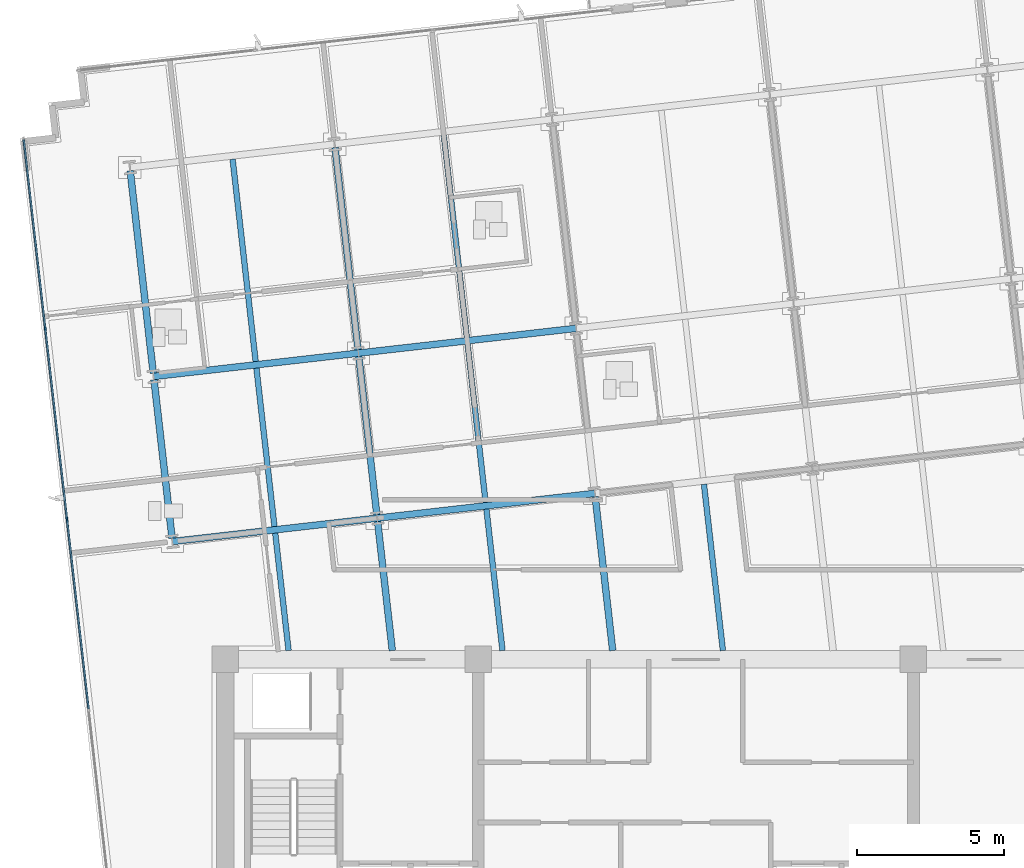
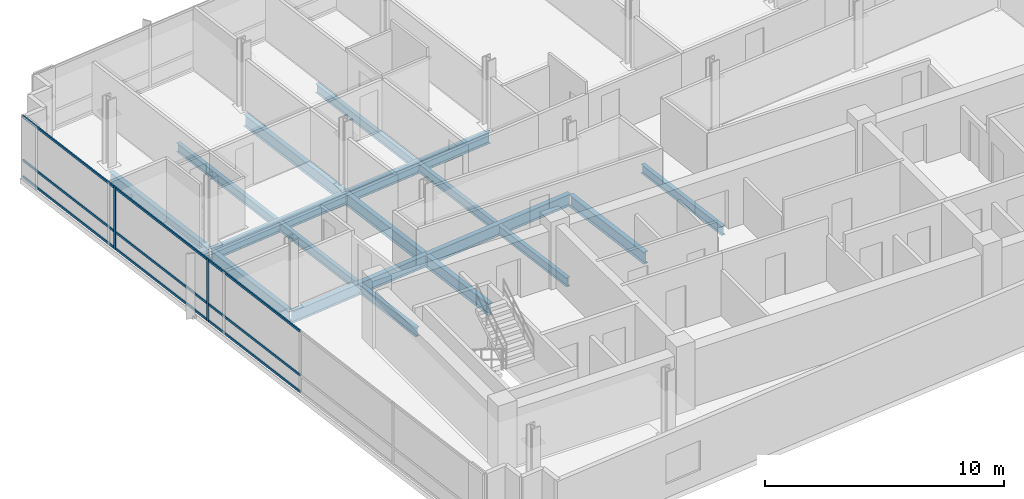
# One storey, part 3 of 16: 17 beams, 11 members, 1 element without a shape of its own.
"""IFC4 building model written with IfcOpenShell, lengths in metres."""

import ifcopenshell
import ifcopenshell.guid

model = None  # the IFC model being written
_history = None  # IfcOwnerHistory: only IFC2X3 demands one
_inside = {}  # id of a spatial element -> (the spatial element, [elements in it])
_under = {}  # id of a project, library or spatial element -> (it, [spatial elements below it])
_declared = {}  # id of a project -> (the project, [libraries it declares])
_typed = {}  # id of a type object -> (the type object, [elements of that type])
_made_of = {}  # id of a material, layer set ... -> (it, [elements and type objects made of it])


def new_model(schema):
    """Start an empty IFC model of exactly this schema.

    Asked for "IFC4X3", IfcOpenShell would pick the latest addendum, in which some entities
    have other attributes; the version numbers below select the first issue.
    IFC2X3 requires an IfcOwnerHistory on every rooted entity: one is made here for all.
    """
    global model, _history
    if schema == "IFC4X3":
        model = ifcopenshell.file(schema_version=(4, 3, 0, 0))
    else:
        model = ifcopenshell.file(schema=schema)
    _inside.clear()
    _under.clear()
    _declared.clear()
    _typed.clear()
    _made_of.clear()
    _history = None
    if model.schema == "IFC2X3":
        org = make("IfcOrganization", Name="unknown")
        user = make(
            "IfcPersonAndOrganization",
            ThePerson=make("IfcPerson", FamilyName="unknown"),
            TheOrganization=org,
        )
        app = make(
            "IfcApplication",
            ApplicationDeveloper=org,
            Version="unknown",
            ApplicationFullName="unknown",
            ApplicationIdentifier="unknown",
        )
        _history = make(
            "IfcOwnerHistory",
            OwningUser=user,
            OwningApplication=app,
            ChangeAction="ADDED",
            CreationDate=0,
        )
    return model


def make(cls, **values):
    """One entity of the class cls with the attributes given. An attribute that is None is left unset."""
    return model.create_entity(
        cls, **{name: value for name, value in values.items() if value is not None}
    )


def rooted(cls, **values):
    """An entity with a GlobalId (a new one), such as an element, a storey or a relation."""
    return make(cls, GlobalId=ifcopenshell.guid.new(), OwnerHistory=_history, **values)


def si_unit(unit_type, name, prefix=None):
    """IfcSIUnit, for example si_unit("LENGTHUNIT", "METRE", prefix="MILLI")."""
    return make("IfcSIUnit", UnitType=unit_type, Prefix=prefix, Name=name)


def assignment(units):
    """IfcUnitAssignment: the units of a project."""
    return None if units is None else make("IfcUnitAssignment", Units=units)


def point(xyz):
    """IfcCartesianPoint."""
    return None if xyz is None else make("IfcCartesianPoint", Coordinates=xyz)


def direction(xyz):
    """IfcDirection."""
    return None if xyz is None else make("IfcDirection", DirectionRatios=xyz)


def frame(location, z_axis=None, x_axis=None):
    """IfcAxis2Placement3D, a coordinate frame: its origin and axes. An axis left out is left unset."""
    return make(
        "IfcAxis2Placement3D",
        Location=point(location),
        Axis=direction(z_axis),
        RefDirection=direction(x_axis),
    )


def frame_2d(location, x_axis=None):
    """IfcAxis2Placement2D, a coordinate frame in the plane: its origin and x axis."""
    return make(
        "IfcAxis2Placement2D", Location=point(location), RefDirection=direction(x_axis)
    )


def origin():
    """The frame at (0, 0, 0) with its axes left unset."""
    return frame((0.0, 0.0, 0.0))


def origin_2d():
    """The frame at (0, 0) in the plane with its x axis left unset."""
    return frame_2d((0.0, 0.0))


def place(relative_to, where):
    """IfcLocalPlacement: puts the frame where relative to a parent placement (None: the world)."""
    return make(
        "IfcLocalPlacement", PlacementRelTo=relative_to, RelativePlacement=where
    )


def context(
    kind, dimensions, precision=None, world=None, true_north=None, identifier=None
):
    """IfcGeometricRepresentationContext, for example the 3D "Model" context."""
    return make(
        "IfcGeometricRepresentationContext",
        ContextIdentifier=identifier,
        ContextType=kind,
        CoordinateSpaceDimension=dimensions,
        Precision=precision,
        WorldCoordinateSystem=world,
        TrueNorth=true_north,
    )


def subcontext(parent, identifier, kind, view, scale=None):
    """IfcGeometricRepresentationSubContext, for example "Body" below "Model"."""
    return make(
        "IfcGeometricRepresentationSubContext",
        ContextIdentifier=identifier,
        ContextType=kind,
        ParentContext=parent,
        TargetScale=scale,
        TargetView=view,
    )


def project(units=None, contexts=None):
    """IfcProject with its units and contexts."""
    return rooted(
        "IfcProject",
        Name="project",
        RepresentationContexts=contexts,
        UnitsInContext=assignment(units),
    )


def spatial(cls, under=None, at=None, **own):
    """A site, building, storey or space (cls), placed at a placement, below another one or the project."""
    s = rooted(cls, ObjectPlacement=at, **own)
    if under is not None:
        _under.setdefault(under.id(), (under, []))[1].append(s)
    return s


def profile(cls, at=None, kind="AREA", **sizes):
    """A parametric profile (cls). Its sizes go by their IFC names, for example OverallWidth=200.0."""
    return make(cls, ProfileType=kind, Position=at, **sizes)


def rectangle(**sizes):
    """IfcRectangleProfileDef."""
    return profile("IfcRectangleProfileDef", **sizes)


def i_section(**sizes):
    """IfcIShapeProfileDef."""
    return profile("IfcIShapeProfileDef", **sizes)


def extrude(swept, where, along, depth):
    """IfcExtrudedAreaSolid: the profile swept, set in the frame where, extruded along a direction by depth."""
    return make(
        "IfcExtrudedAreaSolid",
        SweptArea=swept,
        Position=where,
        ExtrudedDirection=direction(along),
        Depth=depth,
    )


def shape(context_of_items, identifier, shape_type, items):
    """IfcShapeRepresentation: the items that make up one representation, for example the "Body"."""
    return make(
        "IfcShapeRepresentation",
        ContextOfItems=context_of_items,
        RepresentationIdentifier=identifier,
        RepresentationType=shape_type,
        Items=items,
    )


def material(Name=None, Category=None):
    """IfcMaterial."""
    return make("IfcMaterial", Name=Name, Category=Category)


def material_profile(
    of_material, cross_section, Name=None, Category=None, Priority=None
):
    """IfcMaterialProfile: a cross section and its material."""
    return make(
        "IfcMaterialProfile",
        Name=Name,
        Material=of_material,
        Profile=cross_section,
        Priority=Priority,
        Category=Category,
    )


def profile_set(profiles, Name=None, composite=None):
    """IfcMaterialProfileSet."""
    return make(
        "IfcMaterialProfileSet",
        Name=Name,
        MaterialProfiles=profiles,
        CompositeProfile=composite,
    )


def made_of(thing, what):
    """Note that an element or type object is made of a material, layer set ...; save() writes the relation."""
    if what is not None:
        _made_of.setdefault(what.id(), (what, []))[1].append(thing)
    return thing


def type_object(cls, material=None, **own):
    """A type object (cls), such as IfcWallType, which elements share."""
    return made_of(rooted(cls, **own), material)


def element(
    cls,
    number,
    at=None,
    inside=None,
    cuts=None,
    type_object=None,
    material=None,
    context=None,
    identifier="Body",
    shape_type=None,
    held_by="IfcProductDefinitionShape",
    body=None,
    shapes=None,
    **own,
):
    """One element of the class cls, such as IfcWall. Its Tag is "e" and its number.

    at: its placement. inside: the storey or other place that contains it. cuts: it is an
    opening in that element (IfcRelVoidsElement). A single representation is given by context,
    identifier, shape_type and body (its items); several are given by shapes. held_by: the class
    of the entity that holds the representations. save() writes the other relations.
    """
    e = rooted(cls, Tag="e%d" % number, ObjectPlacement=at, **own)
    if body is not None:
        shapes = [shape(context, identifier, shape_type, body)]
    if shapes is not None:
        e.Representation = make(held_by, Representations=shapes)
    if inside is not None:
        _inside.setdefault(inside.id(), (inside, []))[1].append(e)
    if cuts is not None:
        rooted(
            "IfcRelVoidsElement", RelatingBuildingElement=cuts, RelatedOpeningElement=e
        )
    if type_object is not None:
        _typed.setdefault(type_object.id(), (type_object, []))[1].append(e)
    return made_of(e, material)


def aggregate(whole, parts):
    """IfcRelAggregates: a whole, such as a stair, and the parts it consists of."""
    return rooted("IfcRelAggregates", RelatingObject=whole, RelatedObjects=parts)


def save(model, path):
    """Write the relations noted so far, then the file.

    IfcRelAggregates (storeys below a building ...), IfcRelContainedInSpatialStructure (elements
    in a storey), IfcRelDefinesByType, IfcRelAssociatesMaterial and IfcRelDeclares: one each for
    every whole, place, type object, material and project.
    """
    for whole, parts in _under.values():
        aggregate(whole, parts)
    for where, things in _inside.values():
        rooted(
            "IfcRelContainedInSpatialStructure",
            RelatedElements=things,
            RelatingStructure=where,
        )
    for kind, things in _typed.values():
        rooted("IfcRelDefinesByType", RelatedObjects=things, RelatingType=kind)
    for what, things in _made_of.values():
        rooted("IfcRelAssociatesMaterial", RelatedObjects=things, RelatingMaterial=what)
    for by, libraries in _declared.values():
        rooted("IfcRelDeclares", RelatingContext=by, RelatedDefinitions=libraries)
    model.write(path)


model = new_model("IFC4")

# Units and contexts
model_context = context("Model", 3, precision=1e-05, world=origin(), true_north=direction((0.0, 1.0)))
body_context = subcontext(model_context, "Body", "Model", "MODEL_VIEW")
ifc_project = project(units=[si_unit("LENGTHUNIT", "METRE"), si_unit("AREAUNIT", "SQUARE_METRE"), si_unit("VOLUMEUNIT", "CUBIC_METRE"), si_unit("PLANEANGLEUNIT", "RADIAN"), si_unit("MASSUNIT", "GRAM", prefix="KILO")], contexts=[model_context])

# Site, building, storey
site_placement = place(None, origin())
site = spatial("IfcSite", under=ifc_project, at=site_placement, CompositionType="ELEMENT")
building_placement = place(site_placement, origin())
building = spatial("IfcBuilding", under=site, at=building_placement, Name="Solmavex Isthmus Hotel", CompositionType="ELEMENT")
storey_placement = place(building_placement, frame((0.0, 0.0, 222.75)))
storey = spatial("IfcBuildingStorey", under=building, at=storey_placement, Name="L60", CompositionType="ELEMENT", Elevation=222.75)

# Beams
ifc_material_1 = material(Name="Steel ASTM A992 Grade 50", Category="steel")
ifc_material_profile_1 = material_profile(ifc_material_1, i_section(OverallWidth=0.1904296875, OverallDepth=0.456787109375, WebThickness=0.009033203125, FlangeThickness=0.014404296875, FilletRadius=0.0126953125, at=origin_2d()), Name="W18X50")
ifc_profile_set_1 = profile_set([ifc_material_profile_1], Name="Steel ASTM A992 Grade 50")
beam_type_1 = type_object("IfcBeamType", Name="BM-BJ-W18X50", PredefinedType="JOIST", material=ifc_profile_set_1)
beam_1_placement = place(storey_placement, frame((-13.847900390625, -2.199951171875, -0.488525390625), z_axis=(-0.113179724577, 0.993574531651, 0.0), x_axis=(-0.993574531651, -0.113179724577, 0.0)))
element("IfcBeam", 1, at=beam_1_placement, inside=storey, type_object=beam_type_1, Name="Secondary Floor Joist L60-J02", PredefinedType="JOIST", context=body_context, shape_type="SweptSolid", body=[
    extrude(i_section(OverallWidth=0.1904296875, OverallDepth=0.456787109375, WebThickness=0.009033203125, FlangeThickness=0.014404296875, FilletRadius=0.0126953125, at=origin_2d()), origin(), (0.0, 0.0, 1.0), 4.0166015625),
])
beam_2_placement = place(storey_placement, frame((-14.328369140625, 2.01708984375, -0.488525390625), z_axis=(-0.113189626161, 0.993573403695, 0.0), x_axis=(-0.993573403695, -0.113189626161, 0.0)))
element("IfcBeam", 2, at=beam_2_placement, inside=storey, type_object=beam_type_1, Name="Secondary Floor Joist L60-J03", PredefinedType="JOIST", context=body_context, shape_type="SweptSolid", body=[
    extrude(i_section(OverallWidth=0.1904296875, OverallDepth=0.456787109375, WebThickness=0.009033203125, FlangeThickness=0.014404296875, FilletRadius=0.0126953125, at=origin_2d()), origin(), (0.0, 0.0, 1.0), 5.42041015625),
])
beam_3_placement = place(storey_placement, frame((-14.9677734375, 7.62890625, -0.488525390625), z_axis=(-0.113202453846, 0.993571942258, 0.0), x_axis=(-0.993571942258, -0.113202453846, 0.0)))
element("IfcBeam", 3, at=beam_3_placement, inside=storey, type_object=beam_type_1, Name="Secondary Floor Joist L60-J04", PredefinedType="JOIST", context=body_context, shape_type="SweptSolid", body=[
    extrude(i_section(OverallWidth=0.1904296875, OverallDepth=0.456787109375, WebThickness=0.009033203125, FlangeThickness=0.014404296875, FilletRadius=0.0126953125, at=origin_2d()), origin(), (0.0, 0.0, 1.0), 6.9228515625),
])
beam_4_placement = place(storey_placement, frame((-6.57421875, -2.199951171875, -0.488525390625), z_axis=(-0.113193768539, 0.993572931779, 0.0), x_axis=(-0.993572931779, -0.113193768539, 0.0)))
element("IfcBeam", 4, at=beam_4_placement, inside=storey, type_object=beam_type_1, Name="Secondary Floor Joist L60-J06", PredefinedType="JOIST", context=body_context, shape_type="SweptSolid", body=[
    extrude(i_section(OverallWidth=0.1904296875, OverallDepth=0.456787109375, WebThickness=0.009033203125, FlangeThickness=0.014404296875, FilletRadius=0.0126953125, at=origin_2d()), origin(), (0.0, 0.0, 1.0), 4.83984375),
])
beam_5_placement = place(storey_placement, frame((-7.14794921875, 2.835205078125, -0.488525390625), z_axis=(-0.113189626161, 0.993573403695, 0.0), x_axis=(-0.993573403695, -0.113189626161, 0.0)))
element("IfcBeam", 5, at=beam_5_placement, inside=storey, type_object=beam_type_1, Name="Secondary Floor Joist L60-J07", PredefinedType="JOIST", context=body_context, shape_type="SweptSolid", body=[
    extrude(i_section(OverallWidth=0.1904296875, OverallDepth=0.456787109375, WebThickness=0.009033203125, FlangeThickness=0.014404296875, FilletRadius=0.0126953125, at=origin_2d()), origin(), (0.0, 0.0, 1.0), 5.42041015625),
])
beam_6_placement = place(storey_placement, frame((-7.787109375, 8.447021484375, -0.488525390625), z_axis=(-0.113202453846, 0.993571942258, 0.0), x_axis=(-0.993571942258, -0.113202453846, 0.0)))
element("IfcBeam", 6, at=beam_6_placement, inside=storey, type_object=beam_type_1, Name="Secondary Floor Joist L60-J08", PredefinedType="JOIST", context=body_context, shape_type="SweptSolid", body=[
    extrude(i_section(OverallWidth=0.1904296875, OverallDepth=0.456787109375, WebThickness=0.009033203125, FlangeThickness=0.014404296875, FilletRadius=0.0126953125, at=origin_2d()), origin(), (0.0, 0.0, 1.0), 6.9228515625),
])
beam_7_placement = place(storey_placement, frame((0.920166015625, -2.199951171875, -0.488525390625), z_axis=(-0.113219765873, 0.993569969663, 0.0), x_axis=(-0.993569969663, -0.113219765873, 0.0)))
element("IfcBeam", 7, at=beam_7_placement, inside=storey, type_object=beam_type_1, Name="Secondary Floor Joist L60-J09", PredefinedType="JOIST", context=body_context, shape_type="SweptSolid", body=[
    extrude(i_section(OverallWidth=0.1904296875, OverallDepth=0.456787109375, WebThickness=0.009033203125, FlangeThickness=0.014404296875, FilletRadius=0.0126953125, at=origin_2d()), origin(), (0.0, 0.0, 1.0), 5.6884765625),
])
ifc_material_profile_2 = material_profile(ifc_material_1, i_section(OverallWidth=0.227783203125, OverallDepth=0.602783203125, WebThickness=0.010498046875, FlangeThickness=0.014892578125, FilletRadius=0.01513671875, at=origin_2d()), Name="W24X68")
ifc_profile_set_2 = profile_set([ifc_material_profile_2], Name="Steel ASTM A992 Grade 50")
beam_type_2 = type_object("IfcBeamType", Name="BM-BM-W24X68", PredefinedType="BEAM", material=ifc_profile_set_2)
beam_8_placement = place(storey_placement, frame((-17.796875, 1.50732421875, -0.561279296875), z_axis=(0.993569675103, 0.113222350774, 0.0), x_axis=(-0.113222350774, 0.993569675103, 0.0)))
element("IfcBeam", 8, at=beam_8_placement, inside=storey, type_object=beam_type_2, Name="Floor Girder L60-UG06", PredefinedType="BEAM", context=body_context, shape_type="SweptSolid", body=[
    extrude(i_section(OverallWidth=0.227783203125, OverallDepth=0.602783203125, WebThickness=0.010498046875, FlangeThickness=0.014892578125, FilletRadius=0.01513671875, at=origin_2d()), origin(), (0.0, 0.0, 1.0), 7.008056640625),
])
beam_9_placement = place(storey_placement, frame((-10.833984375, 2.30078125, -0.561279296875), z_axis=(0.993574034044, 0.113184092846, 0.0), x_axis=(-0.113184092846, 0.993574034044, 0.0)))
element("IfcBeam", 9, at=beam_9_placement, inside=storey, type_object=beam_type_2, Name="Floor Girder L60-UG07", PredefinedType="BEAM", context=body_context, shape_type="SweptSolid", body=[
    extrude(i_section(OverallWidth=0.227783203125, OverallDepth=0.602783203125, WebThickness=0.010498046875, FlangeThickness=0.014892578125, FilletRadius=0.01513671875, at=origin_2d()), origin(), (0.0, 0.0, 1.0), 7.446044921875),
])
beam_10_placement = place(storey_placement, frame((-18.436279296875, 7.119140625, -0.561279296875), z_axis=(0.99357359356, 0.113187959519, 0.0), x_axis=(-0.113187959519, 0.99357359356, 0.0)))
element("IfcBeam", 10, at=beam_10_placement, inside=storey, type_object=beam_type_2, Name="Floor Girder L60-UG12", PredefinedType="BEAM", context=body_context, shape_type="SweptSolid", body=[
    extrude(i_section(OverallWidth=0.227783203125, OverallDepth=0.602783203125, WebThickness=0.010498046875, FlangeThickness=0.014892578125, FilletRadius=0.01513671875, at=origin_2d()), origin(), (0.0, 0.0, 1.0), 7.0078125),
])
beam_11_placement = place(storey_placement, frame((-11.473388671875, 7.912353515625, -0.561279296875), z_axis=(0.9935703463, 0.113216460607, 0.0), x_axis=(-0.113216460607, 0.9935703463, 0.0)))
element("IfcBeam", 11, at=beam_11_placement, inside=storey, type_object=beam_type_2, Name="Floor Girder L60-UG13", PredefinedType="BEAM", context=body_context, shape_type="SweptSolid", body=[
    extrude(i_section(OverallWidth=0.227783203125, OverallDepth=0.602783203125, WebThickness=0.010498046875, FlangeThickness=0.014892578125, FilletRadius=0.01513671875, at=origin_2d()), origin(), (0.0, 0.0, 1.0), 7.446044921875),
])
beam_12_placement = place(storey_placement, frame((-10.3212890625, -2.199951171875, -0.561279296875), z_axis=(-0.113173914695, 0.993575193447, 0.0), x_axis=(-0.993575193447, -0.113173914695, 0.0)))
element("IfcBeam", 12, at=beam_12_placement, inside=storey, type_object=beam_type_2, Name="Floor Beam L60-VG28", PredefinedType="BEAM", context=body_context, shape_type="SweptSolid", body=[
    extrude(i_section(OverallWidth=0.227783203125, OverallDepth=0.602783203125, WebThickness=0.010498046875, FlangeThickness=0.014892578125, FilletRadius=0.01513671875, at=origin_2d()), origin(), (0.0, 0.0, 1.0), 4.415771484375),
])
beam_13_placement = place(storey_placement, frame((-10.846923828125, 2.413818359375, -0.561279296875), z_axis=(-0.113189626161, 0.993573403695, 0.0), x_axis=(-0.993573403695, -0.113189626161, 0.0)))
element("IfcBeam", 13, at=beam_13_placement, inside=storey, type_object=beam_type_2, Name="Floor Beam L60-VG29", PredefinedType="BEAM", context=body_context, shape_type="SweptSolid", body=[
    extrude(i_section(OverallWidth=0.227783203125, OverallDepth=0.602783203125, WebThickness=0.010498046875, FlangeThickness=0.014892578125, FilletRadius=0.01513671875, at=origin_2d()), origin(), (0.0, 0.0, 1.0), 5.42041015625),
])
beam_14_placement = place(storey_placement, frame((-11.486328125, 8.025634765625, -0.561279296875), z_axis=(-0.113202453846, 0.993571942258, 0.0), x_axis=(-0.993571942258, -0.113202453846, 0.0)))
element("IfcBeam", 14, at=beam_14_placement, inside=storey, type_object=beam_type_2, Name="Floor Beam L60-VG30", PredefinedType="BEAM", context=body_context, shape_type="SweptSolid", body=[
    extrude(i_section(OverallWidth=0.227783203125, OverallDepth=0.602783203125, WebThickness=0.010498046875, FlangeThickness=0.014892578125, FilletRadius=0.01513671875, at=origin_2d()), origin(), (0.0, 0.0, 1.0), 6.9228515625),
])
beam_15_placement = place(storey_placement, frame((-2.8271484375, -2.199951171875, -0.561279296875), z_axis=(-0.113159423971, 0.993576843916, 0.0), x_axis=(-0.993576843916, -0.113159423971, 0.0)))
element("IfcBeam", 15, at=beam_15_placement, inside=storey, type_object=beam_type_2, Name="Floor Beam L60-VG31", PredefinedType="BEAM", context=body_context, shape_type="SweptSolid", body=[
    extrude(i_section(OverallWidth=0.227783203125, OverallDepth=0.602783203125, WebThickness=0.010498046875, FlangeThickness=0.014892578125, FilletRadius=0.01513671875, at=origin_2d()), origin(), (0.0, 0.0, 1.0), 5.26416015625),
])
ifc_material_profile_3 = material_profile(ifc_material_1, i_section(OverallWidth=0.230224609375, OverallDepth=0.617431640625, WebThickness=0.01318359375, FlangeThickness=0.022216796875, FilletRadius=0.01513671875, at=origin_2d()), Name="W24X94")
ifc_profile_set_3 = profile_set([ifc_material_profile_3], Name="Steel ASTM A992 Grade 50")
beam_type_3 = type_object("IfcBeamType", Name="BM-SP-W24X94", PredefinedType="SPANDREL", material=ifc_profile_set_3)
beam_16_placement = place(storey_placement, frame((-17.809814453125, 1.62060546875, -0.56884765625), z_axis=(-0.113194691868, 0.993572826587, 0.0), x_axis=(-0.993572826587, -0.113194691868, 0.0)))
element("IfcBeam", 16, at=beam_16_placement, inside=storey, type_object=beam_type_3, Name="Floor Beam L60-VG25", PredefinedType="SPANDREL", context=body_context, shape_type="SweptSolid", body=[
    extrude(i_section(OverallWidth=0.230224609375, OverallDepth=0.617431640625, WebThickness=0.01318359375, FlangeThickness=0.022216796875, FilletRadius=0.01513671875, at=origin_2d()), origin(), (0.0, 0.0, 1.0), 5.420166015625),
])
beam_17_placement = place(storey_placement, frame((-18.44921875, 7.232177734375, -0.56884765625), z_axis=(-0.113202453846, 0.993571942258, 0.0), x_axis=(-0.993571942258, -0.113202453846, 0.0)))
element("IfcBeam", 17, at=beam_17_placement, inside=storey, type_object=beam_type_3, Name="Floor Beam L60-VG26", PredefinedType="SPANDREL", context=body_context, shape_type="SweptSolid", body=[
    extrude(i_section(OverallWidth=0.230224609375, OverallDepth=0.617431640625, WebThickness=0.01318359375, FlangeThickness=0.022216796875, FilletRadius=0.01513671875, at=origin_2d()), origin(), (0.0, 0.0, 1.0), 6.9228515625),
])

# Curtain wall, members
ifc_material_2 = material(Name="Aluminium alloy 6063-T6", Category="aluminium")
curtain_wall_type = type_object("IfcCurtainWallType", Name="CW-SYS-06", PredefinedType="NOTDEFINED", material=ifc_material_2)
curtain_wall_placement = place(storey_placement, origin())
curtain_wall = element("IfcCurtainWall", 18, at=curtain_wall_placement, inside=storey, type_object=curtain_wall_type, Name="Stick Curtain Wall CWL-L60-W1", PredefinedType="NOTDEFINED")
ifc_material_profile_4 = material_profile(ifc_material_2, rectangle(XDim=0.06005859375, YDim=0.139892578125, at=origin_2d()), Name="CWM-60X140")
ifc_profile_set_4 = profile_set([ifc_material_profile_4], Name="Aluminium alloy 6063-T6")
member_type_1 = type_object("IfcMemberType", Name="CW-SYS-06-MUL", PredefinedType="MULLION", material=ifc_profile_set_4)
member_1_placement = place(storey_placement, frame((-21.385986328125, 2.265869140625, 0.0), z_axis=(0.0, 0.0, 1.0), x_axis=(-0.993571836648, -0.11320338078, 0.0)))
member_1 = element("IfcMember", 19, at=member_1_placement, type_object=member_type_1, Name="CW-06 mullion 4", PredefinedType="MULLION", context=body_context, shape_type="SweptSolid", body=[
    extrude(rectangle(XDim=0.06005859375, YDim=0.139892578125, at=origin_2d()), origin(), (0.0, 0.0, 1.0), 3.18994140625),
])
member_2_placement = place(storey_placement, frame((-22.1240234375, 8.744140625, 0.0), z_axis=(0.0, 0.0, 1.0), x_axis=(-0.993571836648, -0.11320338078, 0.0)))
member_2 = element("IfcMember", 20, at=member_2_placement, type_object=member_type_1, Name="CW-06 mullion 5", PredefinedType="MULLION", context=body_context, shape_type="SweptSolid", body=[
    extrude(rectangle(XDim=0.06005859375, YDim=0.139892578125, at=origin_2d()), origin(), (0.0, 0.0, 1.0), 3.18994140625),
])
ifc_material_profile_5 = material_profile(ifc_material_2, rectangle(XDim=0.06005859375, YDim=0.114990234375, at=origin_2d()), Name="CWT-60X115")
ifc_profile_set_5 = profile_set([ifc_material_profile_5], Name="Aluminium alloy 6063-T6")
member_type_2 = type_object("IfcMemberType", Name="CW-SYS-06-TRN", PredefinedType="USERDEFINED", material=ifc_profile_set_5)
member_3_placement = place(storey_placement, frame((-20.651123046875, -4.182373046875, 0.0576171875), z_axis=(-0.113226824616, 0.993569165276, 0.0), x_axis=(-0.993569165276, -0.113226824616, 0.0)))
member_3 = element("IfcMember", 21, at=member_3_placement, type_object=member_type_2, Name="CW-06 transom 3.1", ObjectType="TRANSOM", PredefinedType="USERDEFINED", context=body_context, shape_type="SweptSolid", body=[
    extrude(rectangle(XDim=0.06005859375, YDim=0.114990234375, at=origin_2d()), origin(), (0.0, 0.0, 1.0), 6.4599609375),
])
member_4_placement = place(storey_placement, frame((-20.651123046875, -4.182373046875, 0.89990234375), z_axis=(-0.113226824616, 0.993569165276, 0.0), x_axis=(-0.993569165276, -0.113226824616, 0.0)))
member_4 = element("IfcMember", 22, at=member_4_placement, type_object=member_type_2, Name="CW-06 transom 3.2", ObjectType="TRANSOM", PredefinedType="USERDEFINED", context=body_context, shape_type="SweptSolid", body=[
    extrude(rectangle(XDim=0.06005859375, YDim=0.114990234375, at=origin_2d()), origin(), (0.0, 0.0, 1.0), 6.4599609375),
])
member_5_placement = place(storey_placement, frame((-20.651123046875, -4.182373046875, 3.132568359375), z_axis=(-0.113226824616, 0.993569165276, 0.0), x_axis=(-0.993569165276, -0.113226824616, 0.0)))
member_5 = element("IfcMember", 23, at=member_5_placement, type_object=member_type_2, Name="CW-06 transom 3.3", ObjectType="TRANSOM", PredefinedType="USERDEFINED", context=body_context, shape_type="SweptSolid", body=[
    extrude(rectangle(XDim=0.06005859375, YDim=0.114990234375, at=origin_2d()), origin(), (0.0, 0.0, 1.0), 6.4599609375),
])
member_6_placement = place(storey_placement, frame((-21.389404296875, 2.295654296875, 0.0576171875), z_axis=(-0.113189516226, 0.993573416219, 0.0), x_axis=(-0.993573416219, -0.113189516226, 0.0)))
member_6 = element("IfcMember", 24, at=member_6_placement, type_object=member_type_2, Name="CW-06 transom 4.1", ObjectType="TRANSOM", PredefinedType="USERDEFINED", context=body_context, shape_type="SweptSolid", body=[
    extrude(rectangle(XDim=0.06005859375, YDim=0.114990234375, at=origin_2d()), origin(), (0.0, 0.0, 1.0), 6.4599609375),
])
member_7_placement = place(storey_placement, frame((-21.389404296875, 2.295654296875, 0.89990234375), z_axis=(-0.113189516226, 0.993573416219, 0.0), x_axis=(-0.993573416219, -0.113189516226, 0.0)))
member_7 = element("IfcMember", 25, at=member_7_placement, type_object=member_type_2, Name="CW-06 transom 4.2", ObjectType="TRANSOM", PredefinedType="USERDEFINED", context=body_context, shape_type="SweptSolid", body=[
    extrude(rectangle(XDim=0.06005859375, YDim=0.114990234375, at=origin_2d()), origin(), (0.0, 0.0, 1.0), 6.4599609375),
])
member_8_placement = place(storey_placement, frame((-21.389404296875, 2.295654296875, 3.132568359375), z_axis=(-0.113189516226, 0.993573416219, 0.0), x_axis=(-0.993573416219, -0.113189516226, 0.0)))
member_8 = element("IfcMember", 26, at=member_8_placement, type_object=member_type_2, Name="CW-06 transom 4.3", ObjectType="TRANSOM", PredefinedType="USERDEFINED", context=body_context, shape_type="SweptSolid", body=[
    extrude(rectangle(XDim=0.06005859375, YDim=0.114990234375, at=origin_2d()), origin(), (0.0, 0.0, 1.0), 6.4599609375),
])
member_9_placement = place(storey_placement, frame((-22.12744140625, 8.77392578125, 0.0576171875), z_axis=(-0.113185709511, 0.993573849879, 0.0), x_axis=(-0.993573849879, -0.113185709511, 0.0)))
member_9 = element("IfcMember", 27, at=member_9_placement, type_object=member_type_2, Name="CW-06 transom 5.1", ObjectType="TRANSOM", PredefinedType="USERDEFINED", context=body_context, shape_type="SweptSolid", body=[
    extrude(rectangle(XDim=0.06005859375, YDim=0.114990234375, at=origin_2d()), origin(), (0.0, 0.0, 1.0), 6.429931640625),
])
member_10_placement = place(storey_placement, frame((-22.12744140625, 8.77392578125, 0.89990234375), z_axis=(-0.113185709511, 0.993573849879, 0.0), x_axis=(-0.993573849879, -0.113185709511, 0.0)))
member_10 = element("IfcMember", 28, at=member_10_placement, type_object=member_type_2, Name="CW-06 transom 5.2", ObjectType="TRANSOM", PredefinedType="USERDEFINED", context=body_context, shape_type="SweptSolid", body=[
    extrude(rectangle(XDim=0.06005859375, YDim=0.114990234375, at=origin_2d()), origin(), (0.0, 0.0, 1.0), 6.429931640625),
])
member_11_placement = place(storey_placement, frame((-22.12744140625, 8.77392578125, 3.132568359375), z_axis=(-0.113185709511, 0.993573849879, 0.0), x_axis=(-0.993573849879, -0.113185709511, 0.0)))
member_11 = element("IfcMember", 29, at=member_11_placement, type_object=member_type_2, Name="CW-06 transom 5.3", ObjectType="TRANSOM", PredefinedType="USERDEFINED", context=body_context, shape_type="SweptSolid", body=[
    extrude(rectangle(XDim=0.06005859375, YDim=0.114990234375, at=origin_2d()), origin(), (0.0, 0.0, 1.0), 6.429931640625),
])
aggregate(curtain_wall, [member_1, member_2, member_3, member_4, member_5, member_6, member_7, member_8, member_9, member_10, member_11])

save(model, "model.ifc")
